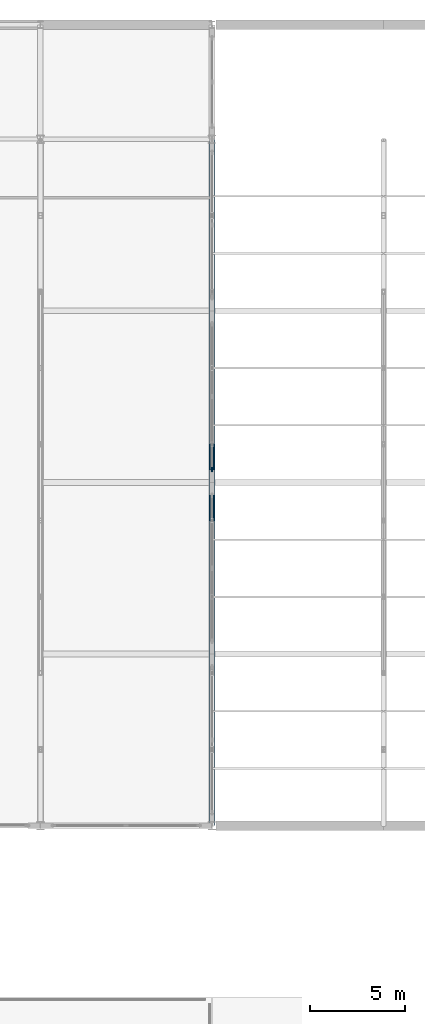
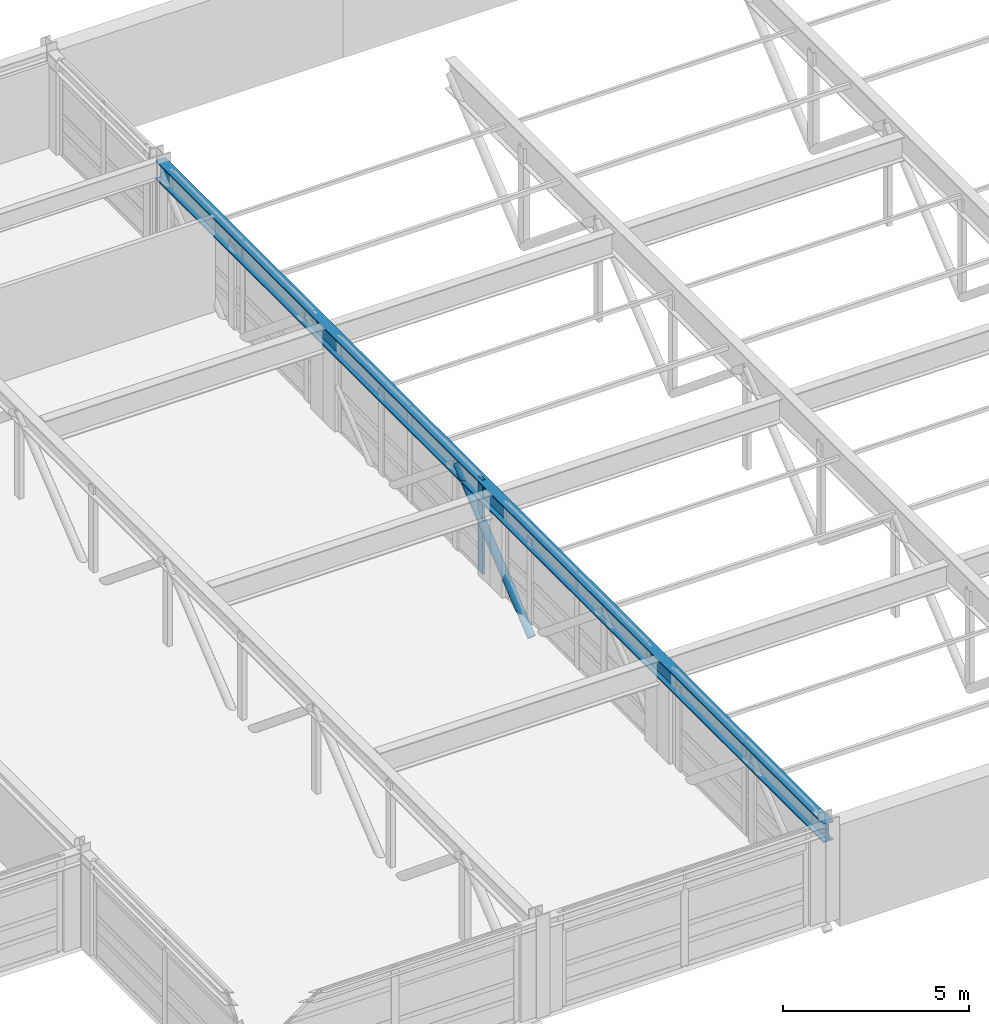
# One storey, part 46 of 91: 2 members, 1 beam, 1 element without a shape of its own.
"""IFC4 building model written with IfcOpenShell, lengths in metres."""

from ifc_helpers import new_model, si_unit, direction, frame, origin, origin_2d, place, context, subcontext, project, spatial, rectangle, hollow_circle, i_section, extrude, material, material_profile, profile_set, type_object, element, aggregate, save


model = new_model("IFC4")

# Units and contexts
model_context = context("Model", 3, precision=1e-05, world=origin(), true_north=direction((0.0, 1.0)))
body_context = subcontext(model_context, "Body", "Model", "MODEL_VIEW")
ifc_project = project(units=[si_unit("LENGTHUNIT", "METRE"), si_unit("AREAUNIT", "SQUARE_METRE"), si_unit("VOLUMEUNIT", "CUBIC_METRE"), si_unit("PLANEANGLEUNIT", "RADIAN"), si_unit("MASSUNIT", "GRAM", prefix="KILO")], contexts=[model_context])

# Site, building, storey
site_placement = place(None, origin())
site = spatial("IfcSite", under=ifc_project, at=site_placement, CompositionType="ELEMENT")
building_placement = place(site_placement, origin())
building = spatial("IfcBuilding", under=site, at=building_placement, Name="Palais des Congres Ocreval", CompositionType="ELEMENT")
storey_placement = place(building_placement, frame((0.0, 0.0, 8.159912109375)))
storey = spatial("IfcBuildingStorey", under=building, at=storey_placement, Name="L02", CompositionType="ELEMENT", Elevation=8.159912109375)

# Curtain wall, member
ifc_material_1 = material(Name="Anodized bronze aluminium and low-E glass", Category="glass")
curtain_wall_type = type_object("IfcCurtainWallType", Name="Unitised Curtain Wall 7900x3120", PredefinedType="USERDEFINED", material=ifc_material_1)
curtain_wall_placement = place(storey_placement, origin())
curtain_wall = element("IfcCurtainWall", 1, at=curtain_wall_placement, inside=storey, type_object=curtain_wall_type, Name="Unitised Curtain Wall CW03 L02", ObjectType="UNITISED CURTAIN WALL", PredefinedType="USERDEFINED")
ifc_material_2 = material(Name="Anodized bronze aluminium", Category="aluminium")
ifc_material_profile_1 = material_profile(ifc_material_2, rectangle(XDim=0.074951171875, YDim=0.239990234375, at=origin_2d()), Name="ALU 75x240")
ifc_profile_set_1 = profile_set([ifc_material_profile_1], Name="Anodized bronze aluminium")
member_type_1 = type_object("IfcMemberType", Name="Curtain Wall Mullion ALU 75x240", PredefinedType="MULLION", material=ifc_profile_set_1)
member_1_placement = place(storey_placement, frame((126.0, 90.6875, 0.0), z_axis=(0.0, 0.0, 1.0), x_axis=(1.0, 0.0, 0.0)))
member_1 = element("IfcMember", 2, at=member_1_placement, type_object=member_type_1, Name="Curtain Wall Mullion ML01", PredefinedType="MULLION", context=body_context, shape_type="SweptSolid", body=[
    extrude(rectangle(XDim=0.074951171875, YDim=0.239990234375, at=origin_2d()), origin(), (0.0, 0.0, 1.0), 3.110107421875),
])
aggregate(curtain_wall, [member_1])

# Member
ifc_material_3 = material(Name="Steel S355", Category="steel")
ifc_material_profile_2 = material_profile(ifc_material_3, hollow_circle(Radius=0.122314453125, WallThickness=0.012451171875, at=origin_2d()), Name="CHS 244.5x12.5")
ifc_profile_set_2 = profile_set([ifc_material_profile_2], Name="Steel S355")
member_type_2 = type_object("IfcMemberType", Name="Diagonal Brace CHS 244.5x12.5 Steel S355", PredefinedType="BRACE", material=ifc_profile_set_2)
member_2_placement = place(storey_placement, frame((126.0, 88.0, -0.5), z_axis=(0.0, 0.772316531173, 0.635237889044), x_axis=(-1.0, 0.0, 0.0)))
element("IfcMember", 3, at=member_2_placement, inside=storey, type_object=member_type_2, Name="Transfer Truss Web Diagonal V2-126-5", PredefinedType="BRACE", context=body_context, shape_type="SweptSolid", body=[
    extrude(hollow_circle(Radius=0.122314453125, WallThickness=0.012451171875, at=origin_2d()), origin(), (0.0, 0.0, 1.0), 5.17919921875),
])

# Beam
ifc_material_4 = material(Name="Steel S460", Category="steel")
ifc_material_profile_3 = material_profile(ifc_material_4, i_section(OverallWidth=0.304931640625, OverallDepth=0.6201171875, WebThickness=0.02099609375, FlangeThickness=0.0400390625, at=origin_2d()), Name="HEM 600")
ifc_profile_set_3 = profile_set([ifc_material_profile_3], Name="Steel S460")
beam_type = type_object("IfcBeamType", Name="Transfer Girder HEM 600 Steel S460", PredefinedType="T_BEAM", material=ifc_profile_set_3)
beam_placement = place(storey_placement, frame((126.0, 72.02001953125, 2.7900390625), z_axis=(0.0, 1.0, 0.0), x_axis=(-1.0, 0.0, 0.0)))
element("IfcBeam", 4, at=beam_placement, inside=storey, type_object=beam_type, Name="Ballroom Transfer Truss Top Girder TG02", PredefinedType="T_BEAM", context=body_context, shape_type="SweptSolid", body=[
    extrude(i_section(OverallWidth=0.304931640625, OverallDepth=0.6201171875, WebThickness=0.02099609375, FlangeThickness=0.0400390625, at=origin_2d()), origin(), (0.0, 0.0, 1.0), 35.9599609375),
])

save(model, "model.ifc")
